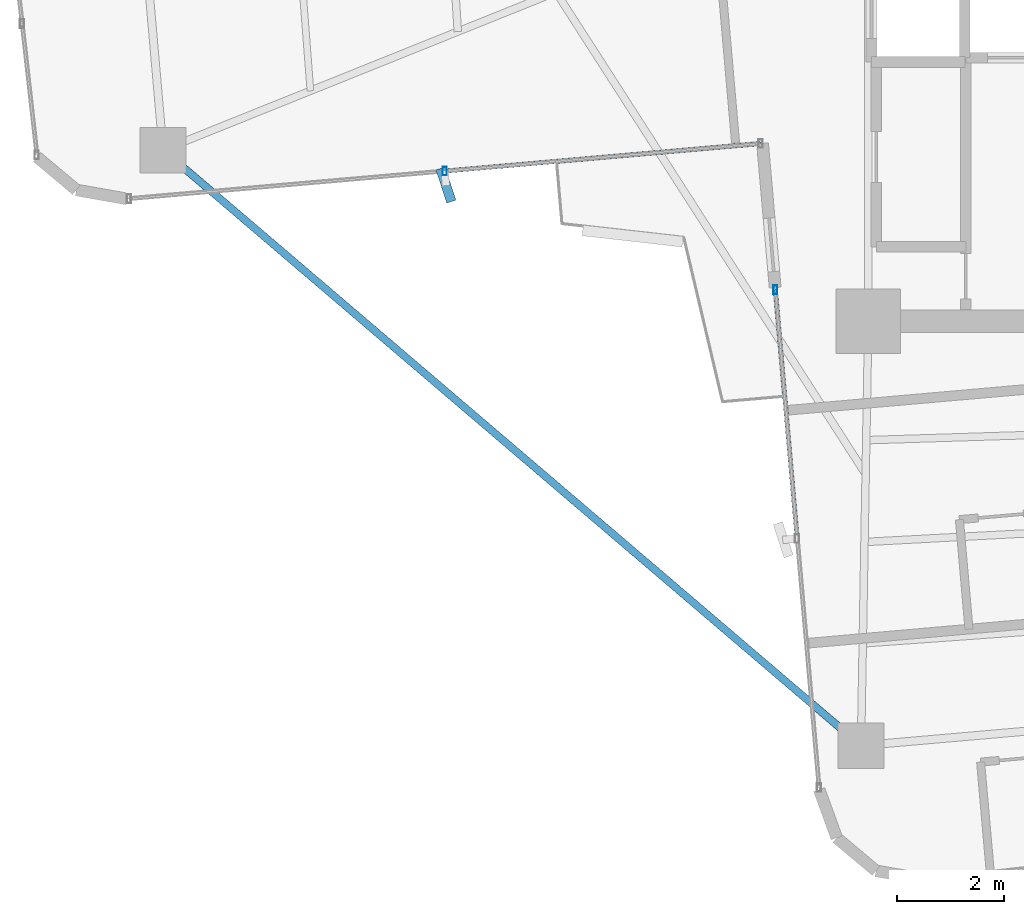
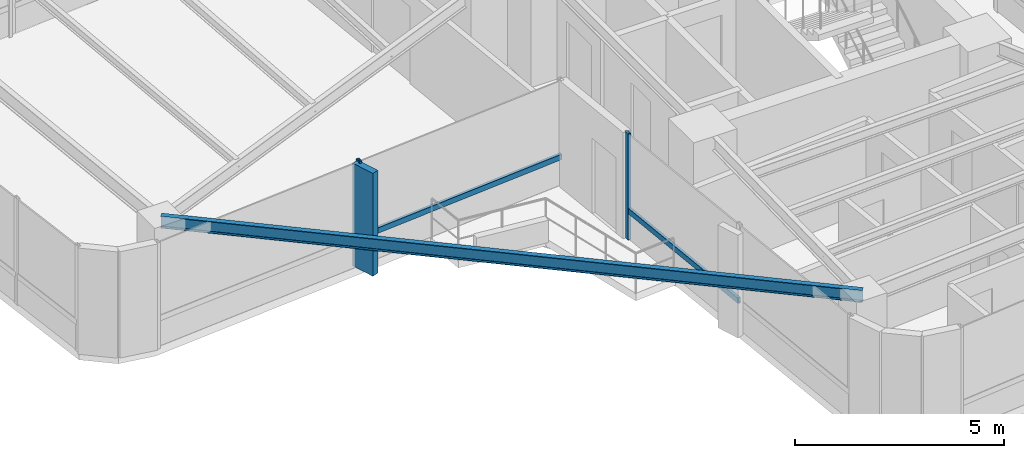
# One storey, part 4 of 24: 5 members, 1 beam, 2 elements without a shape of their own.
"""IFC4 building model written with IfcOpenShell, lengths in metres."""

from ifc_helpers import new_model, si_unit, direction, frame, origin, origin_2d, place, context, subcontext, project, spatial, rectangle, hollow_rectangle, i_section, extrude, source, transform, mapped, material, material_profile, profile_set, type_object, element, aggregate, save


model = new_model("IFC4")

# Units and contexts
model_context = context("Model", 3, precision=1e-05, world=origin(), true_north=direction((0.0, 1.0)))
body_context = subcontext(model_context, "Body", "Model", "MODEL_VIEW")
ifc_project = project(units=[si_unit("LENGTHUNIT", "METRE"), si_unit("AREAUNIT", "SQUARE_METRE"), si_unit("VOLUMEUNIT", "CUBIC_METRE"), si_unit("PLANEANGLEUNIT", "RADIAN"), si_unit("MASSUNIT", "GRAM", prefix="KILO")], contexts=[model_context])

# Site, building, storey
site_placement = place(None, origin())
site = spatial("IfcSite", under=ifc_project, at=site_placement, CompositionType="ELEMENT")
building_placement = place(site_placement, origin())
building = spatial("IfcBuilding", under=site, at=building_placement, Name="Sahyath Konkavel Grand Hotel", CompositionType="ELEMENT")
storey_placement = place(building_placement, frame((0.0, 0.0, 175.199951171875)))
storey = spatial("IfcBuildingStorey", under=building, at=storey_placement, Name="L48", CompositionType="ELEMENT", Elevation=175.199951171875)

# Beam
ifc_material_1 = material(Name="Steel E350", Category="steel")
ifc_material_profile_1 = material_profile(ifc_material_1, i_section(OverallWidth=0.139892578125, OverallDepth=0.35009765625, WebThickness=0.008056640625, FlangeThickness=0.01416015625, FilletRadius=0.013916015625, at=origin_2d()), Name="ISMB 350")
ifc_profile_set_1 = profile_set([ifc_material_profile_1], Name="Steel E350")
beam_type = type_object("IfcBeamType", Name="BM-ISMB350", PredefinedType="BEAM", material=ifc_profile_set_1)
shared_shape_1 = source(origin(), body_context, "Body", "SweptSolid", [
    extrude(i_section(OverallWidth=0.139892578125, OverallDepth=0.35009765625, WebThickness=0.008056640625, FlangeThickness=0.01416015625, FilletRadius=0.013916015625, at=origin_2d()), origin(), (0.0, 0.0, 1.0), 17.11279296875),
])
beam_placement = place(storey_placement, frame((-16.9541015625, -7.00439453125, 2.93505859375), z_axis=(0.760711911164, -0.649089661151, 0.0), x_axis=(0.649089661151, 0.760711911164, 0.0)))
element("IfcBeam", 1, at=beam_placement, inside=storey, type_object=beam_type, Name="L48 Re-Entrant Tie Beam SW", PredefinedType="BEAM", context=body_context, shape_type="MappedRepresentation", body=[
    mapped(shared_shape_1, transform((0.0, 0.0, 0.0), scale=1.0)),
])

# Curtain wall, members
ifc_material_2 = material(Name="Anodised Bronze Aluminium & Low-E Glazing", Category="aluminium")
curtain_wall_type = type_object("IfcCurtainWallType", Name="CW-ZONE3", PredefinedType="NOTDEFINED", material=ifc_material_2)
curtain_wall_1_placement = place(storey_placement, origin())
curtain_wall_1 = element("IfcCurtainWall", 2, at=curtain_wall_1_placement, inside=storey, type_object=curtain_wall_type, Name="L48 Unitised Curtain Wall F23", PredefinedType="NOTDEFINED")
ifc_material_3 = material(Name="Warm Buff Sandstone Cladding on Concrete C50/60", Category="masonry")
ifc_material_profile_2 = material_profile(ifc_material_3, rectangle(XDim=0.179931640625, YDim=0.64990234375, at=origin_2d()), Name="FIN 180x650")
ifc_profile_set_2 = profile_set([ifc_material_profile_2], Name="Warm Buff Sandstone Cladding on Concrete C50/60")
member_type_1 = type_object("IfcMemberType", Name="FIN-SANDSTONE-650", PredefinedType="MULLION", material=ifc_profile_set_2)
shared_shape_2 = source(origin(), body_context, "Body", "SweptSolid", [
    extrude(rectangle(XDim=0.179931640625, YDim=0.64990234375, at=origin_2d()), origin(), (0.0, 0.0, 1.0), 3.010009765625),
])
member_1_placement = place(storey_placement, frame((-11.677001953125, -7.656982421875, 0.050048828125), z_axis=(0.0, 0.0, 1.0), x_axis=(0.951648033235, 0.307190528564, 0.0)))
member_1 = element("IfcMember", 3, at=member_1_placement, type_object=member_type_1, Name="L48 Sandstone Vertical Solar Fin FIN F23-1", PredefinedType="MULLION", context=body_context, shape_type="MappedRepresentation", body=[
    mapped(shared_shape_2, transform((0.0, 0.0, 0.0), scale=1.0)),
])
ifc_material_4 = material(Name="Anodised Bronze Aluminium", Category="aluminium")
ifc_material_profile_3 = material_profile(ifc_material_4, hollow_rectangle(XDim=0.080078125, YDim=0.159912109375, WallThickness=0.006103515625, at=origin_2d()), Name="RHS 160x80x6")
ifc_profile_set_3 = profile_set([ifc_material_profile_3], Name="Anodised Bronze Aluminium")
member_type_2 = type_object("IfcMemberType", Name="CW-MUL-160", PredefinedType="MULLION", material=ifc_profile_set_3)
shared_shape_3 = source(origin(), body_context, "Body", "SweptSolid", [
    extrude(hollow_rectangle(XDim=0.080078125, YDim=0.159912109375, WallThickness=0.006103515625, at=origin_2d()), origin(), (0.0, 0.0, 1.0), 3.110107421875),
])
member_2_placement = place(storey_placement, frame((-11.69970703125, -7.39794921875, 0.0), z_axis=(0.0, 0.0, 1.0), x_axis=(1.0, 0.0, 0.0)))
member_2 = element("IfcMember", 4, at=member_2_placement, type_object=member_type_2, Name="L48 Curtain Wall Mullion F23-1", PredefinedType="MULLION", context=body_context, shape_type="MappedRepresentation", body=[
    mapped(shared_shape_3, transform((0.0, 0.0, 0.0), scale=1.0)),
])

# Curtain wall, member
curtain_wall_2_placement = place(storey_placement, origin())
curtain_wall_2 = element("IfcCurtainWall", 5, at=curtain_wall_2_placement, inside=storey, type_object=curtain_wall_type, Name="L48 Unitised Curtain Wall F24", PredefinedType="NOTDEFINED")
member_3_placement = place(storey_placement, frame((-5.53369140625, -9.60888671875, 0.0), z_axis=(0.0, 0.0, 1.0), x_axis=(1.0, 0.0, 0.0)))
member_3 = element("IfcMember", 6, at=member_3_placement, type_object=member_type_2, Name="L48 Curtain Wall Mullion F24-0", PredefinedType="MULLION", context=body_context, shape_type="MappedRepresentation", body=[
    mapped(shared_shape_3, transform((0.0, 0.0, 0.0), scale=1.0)),
])

# Member
ifc_material_profile_4 = material_profile(ifc_material_4, hollow_rectangle(XDim=0.080078125, YDim=0.159912109375, WallThickness=0.006103515625, at=origin_2d()), Name="RHS 160x80x6")
ifc_profile_set_4 = profile_set([ifc_material_profile_4], Name="Anodised Bronze Aluminium")
member_type_3 = type_object("IfcMemberType", Name="CW-TRN-160", PredefinedType="USERDEFINED", material=ifc_profile_set_4)
shared_shape_4 = source(origin(), body_context, "Body", "SweptSolid", [
    extrude(hollow_rectangle(XDim=0.080078125, YDim=0.159912109375, WallThickness=0.006103515625, at=origin_2d()), origin(), (0.0, 0.0, 1.0), 5.909912109375),
])
member_4_placement = place(storey_placement, frame((-11.69970703125, -7.39794921875, 0.85009765625), z_axis=(0.996193941691, 0.087164388014, 0.0), x_axis=(-0.087164388014, 0.996193941691, 0.0)))
member_4 = element("IfcMember", 7, at=member_4_placement, type_object=member_type_3, Name="L48 Curtain Wall Transom F23-1-spandrel", ObjectType="TRANSOM", PredefinedType="USERDEFINED", context=body_context, shape_type="MappedRepresentation", body=[
    mapped(shared_shape_4, transform((0.0, 0.0, 0.0), scale=1.0)),
])

aggregate(curtain_wall_1, [member_2, member_1, member_4])

shared_shape_5 = source(origin(), body_context, "Body", "SweptSolid", [
    extrude(hollow_rectangle(XDim=0.080078125, YDim=0.159912109375, WallThickness=0.006103515625, at=origin_2d()), origin(), (0.0, 0.0, 1.0), 4.66015625),
])
member_5_placement = place(storey_placement, frame((-5.53369140625, -9.60888671875, 0.85009765625), z_axis=(0.087176698736, -0.996192864458, 0.0), x_axis=(0.996192864458, 0.087176698736, 0.0)))
member_5 = element("IfcMember", 8, at=member_5_placement, type_object=member_type_3, Name="L48 Curtain Wall Transom F24-0-spandrel", ObjectType="TRANSOM", PredefinedType="USERDEFINED", context=body_context, shape_type="MappedRepresentation", body=[
    mapped(shared_shape_5, transform((0.0, 0.0, 0.0), scale=1.0)),
])

aggregate(curtain_wall_2, [member_3, member_5])

save(model, "model.ifc")
